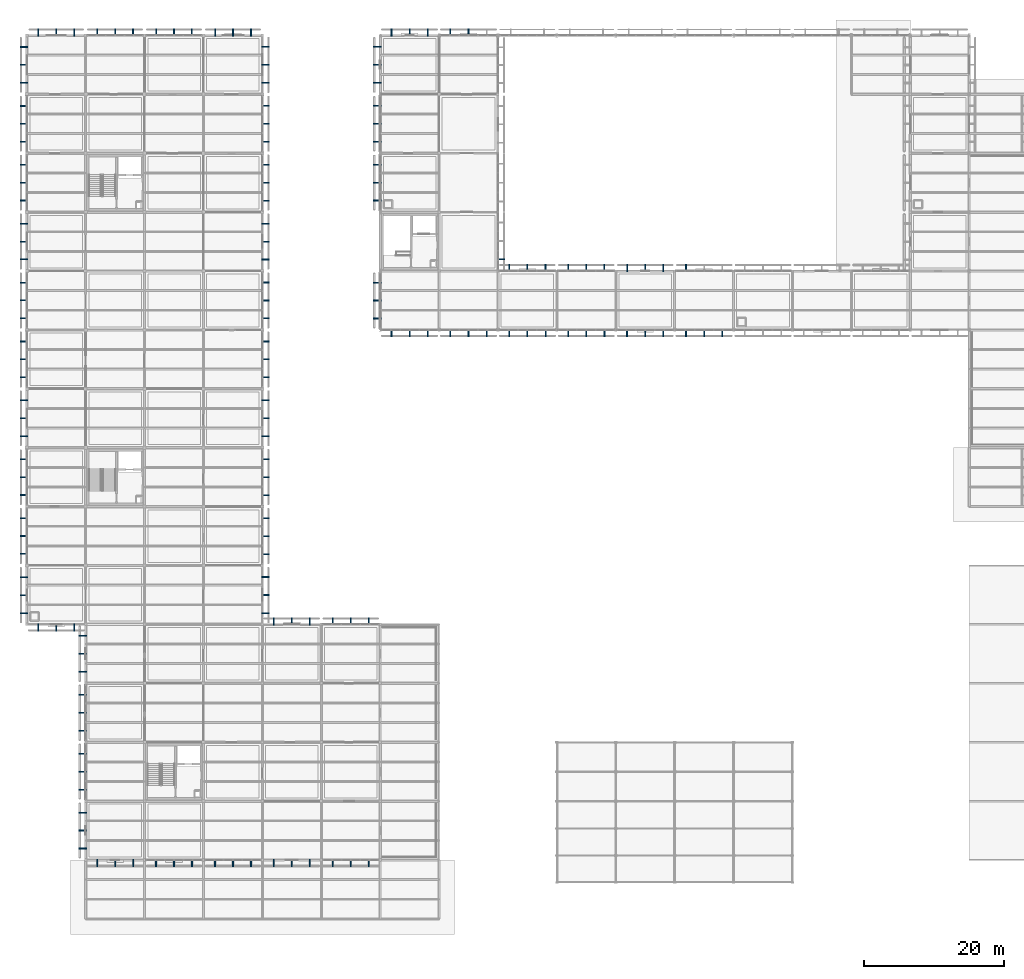
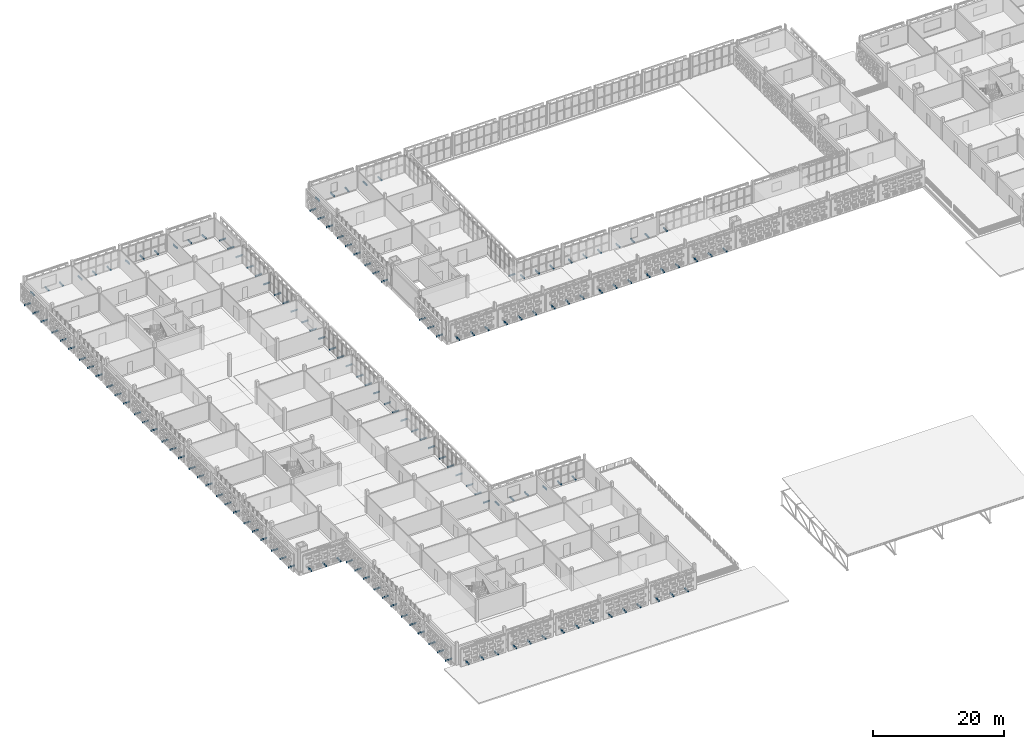
# One storey, part 94 of 140: 154 discrete accessories.
"""IFC4 building model written with IfcOpenShell, lengths in metres."""

from ifc_helpers import new_model, si_unit, direction, frame, origin, origin_2d, place, context, subcontext, project, spatial, rectangle, extrude, material, type_object, element, save


model = new_model("IFC4")

# Units and contexts
model_context = context("Model", 3, precision=1e-05, world=origin(), true_north=direction((0.0, 1.0)))
body_context = subcontext(model_context, "Body", "Model", "MODEL_VIEW")
ifc_project = project(units=[si_unit("LENGTHUNIT", "METRE"), si_unit("AREAUNIT", "SQUARE_METRE"), si_unit("VOLUMEUNIT", "CUBIC_METRE"), si_unit("PLANEANGLEUNIT", "RADIAN"), si_unit("MASSUNIT", "GRAM", prefix="KILO")], contexts=[model_context])

# Site, building, storey
site_placement = place(None, origin())
site = spatial("IfcSite", under=ifc_project, at=site_placement, CompositionType="ELEMENT")
building_placement = place(site_placement, origin())
building = spatial("IfcBuilding", under=site, at=building_placement, Name="Varnapada Polytechnic", CompositionType="ELEMENT")
storey_placement = place(building_placement, frame((0.0, 0.0, 13.800048828125)))
storey = spatial("IfcBuildingStorey", under=building, at=storey_placement, Name="L03", CompositionType="ELEMENT", Elevation=13.800048828125)

# Discrete accessories
ifc_material = material(Name="Steel S355", Category="steel")
discrete_accessory_type = type_object("IfcDiscreteAccessoryType", Name="Screen Outrigger Bracket BRK-01", PredefinedType="BRACKET", material=ifc_material)
for number, where, z_axis, x_axis, name in (
    (1, (6.779296875, 41.574951171875, -0.0498046875), (0.0, 0.0, 1.0), (-1.0, 0.0, 0.0), "L03 terracotta screen outrigger bracket 1.1"),
    (2, (4.199951171875, 41.574951171875, -0.0498046875), (0.0, 0.0, 1.0), (-1.0, 0.0, 0.0), "L03 terracotta screen outrigger bracket 1.2"),
    (3, (1.620849609375, 41.574951171875, -0.0498046875), (0.0, 0.0, 1.0), (-1.0, 0.0, 0.0), "L03 terracotta screen outrigger bracket 1.3"),
    (4, (-0.425048828125, 43.610107421875, -0.0498046875), (0.0, 0.0, 1.0), (0.0, 1.0, 0.0), "L03 terracotta screen outrigger bracket 2.1"),
    (5, (-0.425048828125, 46.169921875, -0.0498046875), (0.0, 0.0, 1.0), (0.0, 1.0, 0.0), "L03 terracotta screen outrigger bracket 2.2"),
    (6, (-0.425048828125, 48.72998046875, -0.0498046875), (0.0, 0.0, 1.0), (0.0, 1.0, 0.0), "L03 terracotta screen outrigger bracket 2.3"),
    (7, (-0.425048828125, 52.06103515625, -0.0498046875), (0.0, 0.0, 1.0), (0.0, 1.0, 0.0), "L03 terracotta screen outrigger bracket 3.1"),
    (8, (-0.425048828125, 54.60498046875, -0.0498046875), (0.0, 0.0, 1.0), (0.0, 1.0, 0.0), "L03 terracotta screen outrigger bracket 3.2"),
    (9, (-0.425048828125, 57.14892578125, -0.0498046875), (0.0, 0.0, 1.0), (0.0, 1.0, 0.0), "L03 terracotta screen outrigger bracket 3.3"),
    (10, (-0.425048828125, 60.450927734375, -0.0498046875), (0.0, 0.0, 1.0), (0.0, 1.0, 0.0), "L03 terracotta screen outrigger bracket 4.1"),
    (11, (-0.425048828125, 62.9951171875, -0.0498046875), (0.0, 0.0, 1.0), (0.0, 1.0, 0.0), "L03 terracotta screen outrigger bracket 4.2"),
    (12, (-0.425048828125, 65.5390625, -0.0498046875), (0.0, 0.0, 1.0), (0.0, 1.0, 0.0), "L03 terracotta screen outrigger bracket 4.3"),
    (13, (-0.425048828125, 68.861083984375, -0.0498046875), (0.0, 0.0, 1.0), (0.0, 1.0, 0.0), "L03 terracotta screen outrigger bracket 5.1"),
    (14, (-0.425048828125, 71.405029296875, -0.0498046875), (0.0, 0.0, 1.0), (0.0, 1.0, 0.0), "L03 terracotta screen outrigger bracket 5.2"),
    (15, (-0.425048828125, 73.948974609375, -0.0498046875), (0.0, 0.0, 1.0), (0.0, 1.0, 0.0), "L03 terracotta screen outrigger bracket 5.3"),
    (16, (-0.425048828125, 77.2509765625, -0.0498046875), (0.0, 0.0, 1.0), (0.0, 1.0, 0.0), "L03 terracotta screen outrigger bracket 6.1"),
    (17, (-0.425048828125, 79.794921875, -0.0498046875), (0.0, 0.0, 1.0), (0.0, 1.0, 0.0), "L03 terracotta screen outrigger bracket 6.2"),
    (18, (-0.425048828125, 82.339111328125, -0.0498046875), (0.0, 0.0, 1.0), (0.0, 1.0, 0.0), "L03 terracotta screen outrigger bracket 6.3"),
    (19, (-0.425048828125, 85.660888671875, -0.0498046875), (0.0, 0.0, 1.0), (0.0, 1.0, 0.0), "L03 terracotta screen outrigger bracket 7.1"),
    (20, (-0.425048828125, 88.205078125, -0.0498046875), (0.0, 0.0, 1.0), (0.0, 1.0, 0.0), "L03 terracotta screen outrigger bracket 7.2"),
    (21, (-0.425048828125, 90.7490234375, -0.0498046875), (0.0, 0.0, 1.0), (0.0, 1.0, 0.0), "L03 terracotta screen outrigger bracket 7.3"),
    (22, (-0.425048828125, 94.051025390625, -0.0498046875), (0.0, 0.0, 1.0), (0.0, 1.0, 0.0), "L03 terracotta screen outrigger bracket 8.1"),
    (23, (-0.425048828125, 96.594970703125, -0.0498046875), (0.0, 0.0, 1.0), (0.0, 1.0, 0.0), "L03 terracotta screen outrigger bracket 8.2"),
    (24, (-0.425048828125, 99.138916015625, -0.0498046875), (0.0, 0.0, 1.0), (0.0, 1.0, 0.0), "L03 terracotta screen outrigger bracket 8.3"),
    (25, (-0.425048828125, 102.4609375, -0.0498046875), (0.0, 0.0, 1.0), (0.0, 1.0, 0.0), "L03 terracotta screen outrigger bracket 9.1"),
    (26, (-0.425048828125, 105.0048828125, -0.0498046875), (0.0, 0.0, 1.0), (0.0, 1.0, 0.0), "L03 terracotta screen outrigger bracket 9.2"),
    (27, (-0.425048828125, 107.549072265625, -0.0498046875), (0.0, 0.0, 1.0), (0.0, 1.0, 0.0), "L03 terracotta screen outrigger bracket 9.3"),
    (28, (-0.425048828125, 110.85107421875, -0.0498046875), (0.0, 0.0, 1.0), (0.0, 1.0, 0.0), "L03 terracotta screen outrigger bracket 10.1"),
    (29, (-0.425048828125, 113.39501953125, -0.0498046875), (0.0, 0.0, 1.0), (0.0, 1.0, 0.0), "L03 terracotta screen outrigger bracket 10.2"),
    (30, (-0.425048828125, 115.93896484375, -0.0498046875), (0.0, 0.0, 1.0), (0.0, 1.0, 0.0), "L03 terracotta screen outrigger bracket 10.3"),
    (31, (1.65283203125, 126.425048828125, -0.0498046875), (0.0, 0.0, 1.0), (1.0, 0.0, 0.0), "L03 terracotta screen outrigger bracket 11.1"),
    (32, (4.199951171875, 126.425048828125, -0.0498046875), (0.0, 0.0, 1.0), (1.0, 0.0, 0.0), "L03 terracotta screen outrigger bracket 11.2"),
    (33, (6.747314453125, 126.425048828125, -0.0498046875), (0.0, 0.0, 1.0), (1.0, 0.0, 0.0), "L03 terracotta screen outrigger bracket 11.3"),
    (34, (-0.425048828125, 119.260986328125, -0.0498046875), (0.0, 0.0, 1.0), (0.0, 1.0, 0.0), "L03 terracotta screen outrigger bracket 12.1"),
    (35, (-0.425048828125, 121.804931640625, -0.0498046875), (0.0, 0.0, 1.0), (0.0, 1.0, 0.0), "L03 terracotta screen outrigger bracket 12.2"),
    (36, (-0.425048828125, 124.34912109375, -0.0498046875), (0.0, 0.0, 1.0), (0.0, 1.0, 0.0), "L03 terracotta screen outrigger bracket 12.3"),
    (37, (15.168212890625, 7.97509765625, -0.0498046875), (0.0, 0.0, 1.0), (-1.0, 0.0, 0.0), "L03 terracotta screen outrigger bracket 13.1"),
    (38, (12.60498046875, 7.97509765625, -0.0498046875), (0.0, 0.0, 1.0), (-1.0, 0.0, 0.0), "L03 terracotta screen outrigger bracket 13.2"),
    (39, (10.041748046875, 7.97509765625, -0.0498046875), (0.0, 0.0, 1.0), (-1.0, 0.0, 0.0), "L03 terracotta screen outrigger bracket 13.3"),
    (40, (7.97509765625, 10.0400390625, -0.0498046875), (0.0, 0.0, 1.0), (0.0, 1.0, 0.0), "L03 terracotta screen outrigger bracket 14.1"),
    (41, (7.97509765625, 12.60009765625, -0.0498046875), (0.0, 0.0, 1.0), (0.0, 1.0, 0.0), "L03 terracotta screen outrigger bracket 14.2"),
    (42, (7.97509765625, 15.159912109375, -0.0498046875), (0.0, 0.0, 1.0), (0.0, 1.0, 0.0), "L03 terracotta screen outrigger bracket 14.3"),
    (43, (7.97509765625, 18.43994140625, -0.0498046875), (0.0, 0.0, 1.0), (0.0, 1.0, 0.0), "L03 terracotta screen outrigger bracket 15.1"),
    (44, (7.97509765625, 21.0, -0.0498046875), (0.0, 0.0, 1.0), (0.0, 1.0, 0.0), "L03 terracotta screen outrigger bracket 15.2"),
    (45, (7.97509765625, 23.56005859375, -0.0498046875), (0.0, 0.0, 1.0), (0.0, 1.0, 0.0), "L03 terracotta screen outrigger bracket 15.3"),
    (46, (7.97509765625, 26.840087890625, -0.0498046875), (0.0, 0.0, 1.0), (0.0, 1.0, 0.0), "L03 terracotta screen outrigger bracket 16.1"),
    (47, (7.97509765625, 29.39990234375, -0.0498046875), (0.0, 0.0, 1.0), (0.0, 1.0, 0.0), "L03 terracotta screen outrigger bracket 16.2"),
    (48, (7.97509765625, 31.9599609375, -0.0498046875), (0.0, 0.0, 1.0), (0.0, 1.0, 0.0), "L03 terracotta screen outrigger bracket 16.3"),
    (49, (7.97509765625, 35.245361328125, -0.0498046875), (0.0, 0.0, 1.0), (0.0, 1.0, 0.0), "L03 terracotta screen outrigger bracket 17.1"),
    (50, (7.97509765625, 37.81494140625, -0.0498046875), (0.0, 0.0, 1.0), (0.0, 1.0, 0.0), "L03 terracotta screen outrigger bracket 17.2"),
    (51, (7.97509765625, 40.384521484375, -0.0498046875), (0.0, 0.0, 1.0), (0.0, 1.0, 0.0), "L03 terracotta screen outrigger bracket 17.3"),
    (52, (10.052734375, 126.425048828125, -0.0498046875), (0.0, 0.0, 1.0), (1.0, 0.0, 0.0), "L03 terracotta screen outrigger bracket 18.1"),
    (53, (12.60009765625, 126.425048828125, -0.0498046875), (0.0, 0.0, 1.0), (1.0, 0.0, 0.0), "L03 terracotta screen outrigger bracket 18.2"),
    (54, (15.147216796875, 126.425048828125, -0.0498046875), (0.0, 0.0, 1.0), (1.0, 0.0, 0.0), "L03 terracotta screen outrigger bracket 18.3"),
    (55, (23.55810546875, 7.97509765625, -0.0498046875), (0.0, 0.0, 1.0), (-1.0, 0.0, 0.0), "L03 terracotta screen outrigger bracket 19.1"),
    (56, (20.9951171875, 7.97509765625, -0.0498046875), (0.0, 0.0, 1.0), (-1.0, 0.0, 0.0), "L03 terracotta screen outrigger bracket 19.2"),
    (57, (18.431884765625, 7.97509765625, -0.0498046875), (0.0, 0.0, 1.0), (-1.0, 0.0, 0.0), "L03 terracotta screen outrigger bracket 19.3"),
    (58, (18.452880859375, 126.425048828125, -0.0498046875), (0.0, 0.0, 1.0), (1.0, 0.0, 0.0), "L03 terracotta screen outrigger bracket 20.1"),
    (59, (21.0, 126.425048828125, -0.0498046875), (0.0, 0.0, 1.0), (1.0, 0.0, 0.0), "L03 terracotta screen outrigger bracket 20.2"),
    (60, (23.547119140625, 126.425048828125, -0.0498046875), (0.0, 0.0, 1.0), (1.0, 0.0, 0.0), "L03 terracotta screen outrigger bracket 20.3"),
    (61, (31.96826171875, 7.97509765625, -0.0498046875), (0.0, 0.0, 1.0), (-1.0, 0.0, 0.0), "L03 terracotta screen outrigger bracket 21.1"),
    (62, (29.405029296875, 7.97509765625, -0.0498046875), (0.0, 0.0, 1.0), (-1.0, 0.0, 0.0), "L03 terracotta screen outrigger bracket 21.2"),
    (63, (26.841796875, 7.97509765625, -0.0498046875), (0.0, 0.0, 1.0), (-1.0, 0.0, 0.0), "L03 terracotta screen outrigger bracket 21.3"),
    (64, (34.02490234375, 48.7626953125, -0.0498046875), (0.0, 0.0, 1.0), (0.0, -1.0, 0.0), "L03 terracotta screen outrigger bracket 22.1"),
    (65, (34.02490234375, 46.18994140625, -0.0498046875), (0.0, 0.0, 1.0), (0.0, -1.0, 0.0), "L03 terracotta screen outrigger bracket 22.2"),
    (66, (34.02490234375, 43.6171875, -0.0498046875), (0.0, 0.0, 1.0), (0.0, -1.0, 0.0), "L03 terracotta screen outrigger bracket 22.3"),
    (67, (34.02490234375, 57.14990234375, -0.0498046875), (0.0, 0.0, 1.0), (0.0, -1.0, 0.0), "L03 terracotta screen outrigger bracket 23.1"),
    (68, (34.02490234375, 54.590087890625, -0.0498046875), (0.0, 0.0, 1.0), (0.0, -1.0, 0.0), "L03 terracotta screen outrigger bracket 23.2"),
    (69, (34.02490234375, 52.030029296875, -0.0498046875), (0.0, 0.0, 1.0), (0.0, -1.0, 0.0), "L03 terracotta screen outrigger bracket 23.3"),
    (70, (34.02490234375, 65.5537109375, -0.0498046875), (0.0, 0.0, 1.0), (0.0, -1.0, 0.0), "L03 terracotta screen outrigger bracket 24.1"),
    (71, (34.02490234375, 63.0, -0.0498046875), (0.0, 0.0, 1.0), (0.0, -1.0, 0.0), "L03 terracotta screen outrigger bracket 24.2"),
    (72, (34.02490234375, 60.4462890625, -0.0498046875), (0.0, 0.0, 1.0), (0.0, -1.0, 0.0), "L03 terracotta screen outrigger bracket 24.3"),
    (73, (34.02490234375, 73.95361328125, -0.0498046875), (0.0, 0.0, 1.0), (0.0, -1.0, 0.0), "L03 terracotta screen outrigger bracket 25.1"),
    (74, (34.02490234375, 71.39990234375, -0.0498046875), (0.0, 0.0, 1.0), (0.0, -1.0, 0.0), "L03 terracotta screen outrigger bracket 25.2"),
    (75, (34.02490234375, 68.846435546875, -0.0498046875), (0.0, 0.0, 1.0), (0.0, -1.0, 0.0), "L03 terracotta screen outrigger bracket 25.3"),
    (76, (34.02490234375, 82.353515625, -0.0498046875), (0.0, 0.0, 1.0), (0.0, -1.0, 0.0), "L03 terracotta screen outrigger bracket 26.1"),
    (77, (34.02490234375, 79.800048828125, -0.0498046875), (0.0, 0.0, 1.0), (0.0, -1.0, 0.0), "L03 terracotta screen outrigger bracket 26.2"),
    (78, (34.02490234375, 77.246337890625, -0.0498046875), (0.0, 0.0, 1.0), (0.0, -1.0, 0.0), "L03 terracotta screen outrigger bracket 26.3"),
    (79, (34.02490234375, 90.753662109375, -0.0498046875), (0.0, 0.0, 1.0), (0.0, -1.0, 0.0), "L03 terracotta screen outrigger bracket 27.1"),
    (80, (34.02490234375, 88.199951171875, -0.0498046875), (0.0, 0.0, 1.0), (0.0, -1.0, 0.0), "L03 terracotta screen outrigger bracket 27.2"),
    (81, (34.02490234375, 85.646484375, -0.0498046875), (0.0, 0.0, 1.0), (0.0, -1.0, 0.0), "L03 terracotta screen outrigger bracket 27.3"),
    (82, (34.02490234375, 99.153564453125, -0.0498046875), (0.0, 0.0, 1.0), (0.0, -1.0, 0.0), "L03 terracotta screen outrigger bracket 28.1"),
    (83, (34.02490234375, 96.60009765625, -0.0498046875), (0.0, 0.0, 1.0), (0.0, -1.0, 0.0), "L03 terracotta screen outrigger bracket 28.2"),
    (84, (34.02490234375, 94.04638671875, -0.0498046875), (0.0, 0.0, 1.0), (0.0, -1.0, 0.0), "L03 terracotta screen outrigger bracket 28.3"),
    (85, (34.02490234375, 107.5537109375, -0.0498046875), (0.0, 0.0, 1.0), (0.0, -1.0, 0.0), "L03 terracotta screen outrigger bracket 29.1"),
    (86, (34.02490234375, 105.0, -0.0498046875), (0.0, 0.0, 1.0), (0.0, -1.0, 0.0), "L03 terracotta screen outrigger bracket 29.2"),
    (87, (34.02490234375, 102.4462890625, -0.0498046875), (0.0, 0.0, 1.0), (0.0, -1.0, 0.0), "L03 terracotta screen outrigger bracket 29.3"),
    (88, (34.02490234375, 115.95361328125, -0.0498046875), (0.0, 0.0, 1.0), (0.0, -1.0, 0.0), "L03 terracotta screen outrigger bracket 30.1"),
    (89, (34.02490234375, 113.39990234375, -0.0498046875), (0.0, 0.0, 1.0), (0.0, -1.0, 0.0), "L03 terracotta screen outrigger bracket 30.2"),
    (90, (34.02490234375, 110.846435546875, -0.0498046875), (0.0, 0.0, 1.0), (0.0, -1.0, 0.0), "L03 terracotta screen outrigger bracket 30.3"),
    (91, (26.858154296875, 126.425048828125, -0.0498046875), (0.0, 0.0, 1.0), (1.0, 0.0, 0.0), "L03 terracotta screen outrigger bracket 31.1"),
    (92, (29.4150390625, 126.425048828125, -0.0498046875), (0.0, 0.0, 1.0), (1.0, 0.0, 0.0), "L03 terracotta screen outrigger bracket 31.2"),
    (93, (31.9716796875, 126.425048828125, -0.0498046875), (0.0, 0.0, 1.0), (1.0, 0.0, 0.0), "L03 terracotta screen outrigger bracket 31.3"),
    (94, (34.02490234375, 124.3701171875, -0.0498046875), (0.0, 0.0, 1.0), (0.0, -1.0, 0.0), "L03 terracotta screen outrigger bracket 32.1"),
    (95, (34.02490234375, 121.81005859375, -0.0498046875), (0.0, 0.0, 1.0), (0.0, -1.0, 0.0), "L03 terracotta screen outrigger bracket 32.2"),
    (96, (34.02490234375, 119.25, -0.0498046875), (0.0, 0.0, 1.0), (0.0, -1.0, 0.0), "L03 terracotta screen outrigger bracket 32.3"),
    (97, (40.358154296875, 7.97509765625, -0.0498046875), (0.0, 0.0, 1.0), (-1.0, 0.0, 0.0), "L03 terracotta screen outrigger bracket 33.1"),
    (98, (37.794921875, 7.97509765625, -0.0498046875), (0.0, 0.0, 1.0), (-1.0, 0.0, 0.0), "L03 terracotta screen outrigger bracket 33.2"),
    (99, (35.231689453125, 7.97509765625, -0.0498046875), (0.0, 0.0, 1.0), (-1.0, 0.0, 0.0), "L03 terracotta screen outrigger bracket 33.3"),
    (100, (35.220703125, 42.425048828125, -0.0498046875), (0.0, 0.0, 1.0), (1.0, 0.0, 0.0), "L03 terracotta screen outrigger bracket 34.1"),
    (101, (37.800048828125, 42.425048828125, -0.0498046875), (0.0, 0.0, 1.0), (1.0, 0.0, 0.0), "L03 terracotta screen outrigger bracket 34.2"),
    (102, (40.379150390625, 42.425048828125, -0.0498046875), (0.0, 0.0, 1.0), (1.0, 0.0, 0.0), "L03 terracotta screen outrigger bracket 34.3"),
    (103, (48.768310546875, 7.97509765625, -0.0498046875), (0.0, 0.0, 1.0), (-1.0, 0.0, 0.0), "L03 terracotta screen outrigger bracket 35.1"),
    (104, (46.205078125, 7.97509765625, -0.0498046875), (0.0, 0.0, 1.0), (-1.0, 0.0, 0.0), "L03 terracotta screen outrigger bracket 35.2"),
    (105, (43.641845703125, 7.97509765625, -0.0498046875), (0.0, 0.0, 1.0), (-1.0, 0.0, 0.0), "L03 terracotta screen outrigger bracket 35.3"),
    (106, (43.620849609375, 42.425048828125, -0.0498046875), (0.0, 0.0, 1.0), (1.0, 0.0, 0.0), "L03 terracotta screen outrigger bracket 39.1"),
    (107, (46.199951171875, 42.425048828125, -0.0498046875), (0.0, 0.0, 1.0), (1.0, 0.0, 0.0), "L03 terracotta screen outrigger bracket 39.2"),
    (108, (48.779296875, 42.425048828125, -0.0498046875), (0.0, 0.0, 1.0), (1.0, 0.0, 0.0), "L03 terracotta screen outrigger bracket 39.3"),
    (109, (57.19189453125, 83.574951171875, -0.0498046875), (0.0, 0.0, 1.0), (-1.0, 0.0, 0.0), "L03 terracotta screen outrigger bracket 41.1"),
    (110, (54.60009765625, 83.574951171875, -0.0498046875), (0.0, 0.0, 1.0), (-1.0, 0.0, 0.0), "L03 terracotta screen outrigger bracket 41.2"),
    (111, (52.008056640625, 83.574951171875, -0.0498046875), (0.0, 0.0, 1.0), (-1.0, 0.0, 0.0), "L03 terracotta screen outrigger bracket 41.3"),
    (112, (49.97509765625, 85.635498046875, -0.0498046875), (0.0, 0.0, 1.0), (0.0, 1.0, 0.0), "L03 terracotta screen outrigger bracket 42.1"),
    (113, (49.97509765625, 88.1875, -0.0498046875), (0.0, 0.0, 1.0), (0.0, 1.0, 0.0), "L03 terracotta screen outrigger bracket 42.2"),
    (114, (49.97509765625, 90.739501953125, -0.0498046875), (0.0, 0.0, 1.0), (0.0, 1.0, 0.0), "L03 terracotta screen outrigger bracket 42.3"),
    (115, (49.97509765625, 102.4560546875, -0.0498046875), (0.0, 0.0, 1.0), (0.0, 1.0, 0.0), "L03 terracotta screen outrigger bracket 44.1"),
    (116, (49.97509765625, 105.0, -0.0498046875), (0.0, 0.0, 1.0), (0.0, 1.0, 0.0), "L03 terracotta screen outrigger bracket 44.2"),
    (117, (49.97509765625, 107.5439453125, -0.0498046875), (0.0, 0.0, 1.0), (0.0, 1.0, 0.0), "L03 terracotta screen outrigger bracket 44.3"),
    (118, (49.97509765625, 110.85595703125, -0.0498046875), (0.0, 0.0, 1.0), (0.0, 1.0, 0.0), "L03 terracotta screen outrigger bracket 45.1"),
    (119, (49.97509765625, 113.39990234375, -0.0498046875), (0.0, 0.0, 1.0), (0.0, 1.0, 0.0), "L03 terracotta screen outrigger bracket 45.2"),
    (120, (49.97509765625, 115.944091796875, -0.0498046875), (0.0, 0.0, 1.0), (0.0, 1.0, 0.0), "L03 terracotta screen outrigger bracket 45.3"),
    (121, (52.008056640625, 126.425048828125, -0.0498046875), (0.0, 0.0, 1.0), (1.0, 0.0, 0.0), "L03 terracotta screen outrigger bracket 46.1"),
    (122, (54.60009765625, 126.425048828125, -0.0498046875), (0.0, 0.0, 1.0), (1.0, 0.0, 0.0), "L03 terracotta screen outrigger bracket 46.2"),
    (123, (57.19189453125, 126.425048828125, -0.0498046875), (0.0, 0.0, 1.0), (1.0, 0.0, 0.0), "L03 terracotta screen outrigger bracket 46.3"),
    (124, (49.97509765625, 119.260498046875, -0.0498046875), (0.0, 0.0, 1.0), (0.0, 1.0, 0.0), "L03 terracotta screen outrigger bracket 47.1"),
    (125, (49.97509765625, 121.8125, -0.0498046875), (0.0, 0.0, 1.0), (0.0, 1.0, 0.0), "L03 terracotta screen outrigger bracket 47.2"),
    (126, (49.97509765625, 124.364501953125, -0.0498046875), (0.0, 0.0, 1.0), (0.0, 1.0, 0.0), "L03 terracotta screen outrigger bracket 47.3"),
    (127, (65.592041015625, 83.574951171875, -0.0498046875), (0.0, 0.0, 1.0), (-1.0, 0.0, 0.0), "L03 terracotta screen outrigger bracket 48.1"),
    (128, (63.0, 83.574951171875, -0.0498046875), (0.0, 0.0, 1.0), (-1.0, 0.0, 0.0), "L03 terracotta screen outrigger bracket 48.2"),
    (129, (60.407958984375, 83.574951171875, -0.0498046875), (0.0, 0.0, 1.0), (-1.0, 0.0, 0.0), "L03 terracotta screen outrigger bracket 48.3"),
    (130, (67.625, 94.051513671875, -0.0498046875), (0.0, 0.0, 1.0), (0.0, -1.0, 0.0), "L03 terracotta screen outrigger bracket 49.3"),
    (131, (60.407958984375, 126.425048828125, -0.0498046875), (0.0, 0.0, 1.0), (1.0, 0.0, 0.0), "L03 terracotta screen outrigger bracket 52.1"),
    (132, (63.0, 126.425048828125, -0.0498046875), (0.0, 0.0, 1.0), (1.0, 0.0, 0.0), "L03 terracotta screen outrigger bracket 52.2"),
    (133, (73.991943359375, 83.574951171875, -0.0498046875), (0.0, 0.0, 1.0), (-1.0, 0.0, 0.0), "L03 terracotta screen outrigger bracket 54.1"),
    (134, (71.39990234375, 83.574951171875, -0.0498046875), (0.0, 0.0, 1.0), (-1.0, 0.0, 0.0), "L03 terracotta screen outrigger bracket 54.2"),
    (135, (68.80810546875, 83.574951171875, -0.0498046875), (0.0, 0.0, 1.0), (-1.0, 0.0, 0.0), "L03 terracotta screen outrigger bracket 54.3"),
    (136, (68.82080078125, 92.824951171875, -0.0498046875), (0.0, 0.0, 1.0), (1.0, 0.0, 0.0), "L03 terracotta screen outrigger bracket 55.1"),
    (137, (71.39990234375, 92.824951171875, -0.0498046875), (0.0, 0.0, 1.0), (1.0, 0.0, 0.0), "L03 terracotta screen outrigger bracket 55.2"),
    (138, (73.979248046875, 92.824951171875, -0.0498046875), (0.0, 0.0, 1.0), (1.0, 0.0, 0.0), "L03 terracotta screen outrigger bracket 55.3"),
    (139, (82.39208984375, 83.574951171875, -0.0498046875), (0.0, 0.0, 1.0), (-1.0, 0.0, 0.0), "L03 terracotta screen outrigger bracket 56.1"),
    (140, (79.800048828125, 83.574951171875, -0.0498046875), (0.0, 0.0, 1.0), (-1.0, 0.0, 0.0), "L03 terracotta screen outrigger bracket 56.2"),
    (141, (77.2080078125, 83.574951171875, -0.0498046875), (0.0, 0.0, 1.0), (-1.0, 0.0, 0.0), "L03 terracotta screen outrigger bracket 56.3"),
    (142, (77.220703125, 92.824951171875, -0.0498046875), (0.0, 0.0, 1.0), (1.0, 0.0, 0.0), "L03 terracotta screen outrigger bracket 57.1"),
    (143, (79.800048828125, 92.824951171875, -0.0498046875), (0.0, 0.0, 1.0), (1.0, 0.0, 0.0), "L03 terracotta screen outrigger bracket 57.2"),
    (144, (82.379150390625, 92.824951171875, -0.0498046875), (0.0, 0.0, 1.0), (1.0, 0.0, 0.0), "L03 terracotta screen outrigger bracket 57.3"),
    (145, (90.7919921875, 83.574951171875, -0.0498046875), (0.0, 0.0, 1.0), (-1.0, 0.0, 0.0), "L03 terracotta screen outrigger bracket 58.1"),
    (146, (88.199951171875, 83.574951171875, -0.0498046875), (0.0, 0.0, 1.0), (-1.0, 0.0, 0.0), "L03 terracotta screen outrigger bracket 58.2"),
    (147, (85.60791015625, 83.574951171875, -0.0498046875), (0.0, 0.0, 1.0), (-1.0, 0.0, 0.0), "L03 terracotta screen outrigger bracket 58.3"),
    (148, (85.620849609375, 92.824951171875, -0.0498046875), (0.0, 0.0, 1.0), (1.0, 0.0, 0.0), "L03 terracotta screen outrigger bracket 59.1"),
    (149, (88.199951171875, 92.824951171875, -0.0498046875), (0.0, 0.0, 1.0), (1.0, 0.0, 0.0), "L03 terracotta screen outrigger bracket 59.2"),
    (150, (90.779296875, 92.824951171875, -0.0498046875), (0.0, 0.0, 1.0), (1.0, 0.0, 0.0), "L03 terracotta screen outrigger bracket 59.3"),
    (151, (99.19189453125, 83.574951171875, -0.0498046875), (0.0, 0.0, 1.0), (-1.0, 0.0, 0.0), "L03 terracotta screen outrigger bracket 60.1"),
    (152, (96.60009765625, 83.574951171875, -0.0498046875), (0.0, 0.0, 1.0), (-1.0, 0.0, 0.0), "L03 terracotta screen outrigger bracket 60.2"),
    (153, (94.008056640625, 83.574951171875, -0.0498046875), (0.0, 0.0, 1.0), (-1.0, 0.0, 0.0), "L03 terracotta screen outrigger bracket 60.3"),
    (154, (94.020751953125, 92.824951171875, -0.0498046875), (0.0, 0.0, 1.0), (1.0, 0.0, 0.0), "L03 terracotta screen outrigger bracket 61.1"),
):
    element("IfcDiscreteAccessory", number, at=place(storey_placement, frame(where, z_axis=z_axis, x_axis=x_axis)), inside=storey, type_object=discrete_accessory_type, Name=name, PredefinedType="BRACKET", context=body_context, shape_type="SweptSolid", body=[
        extrude(rectangle(XDim=0.159912109375, YDim=1.090087890625, at=origin_2d()), origin(), (0.0, 0.0, 1.0), 0.219970703125),
    ])

save(model, "model.ifc")
